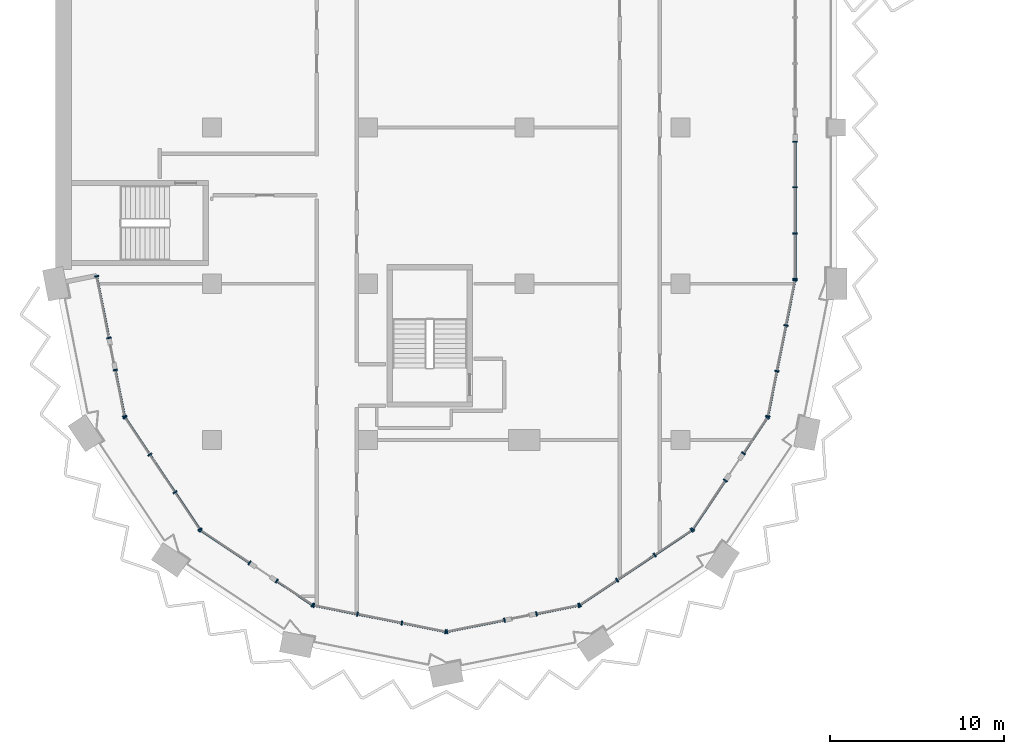
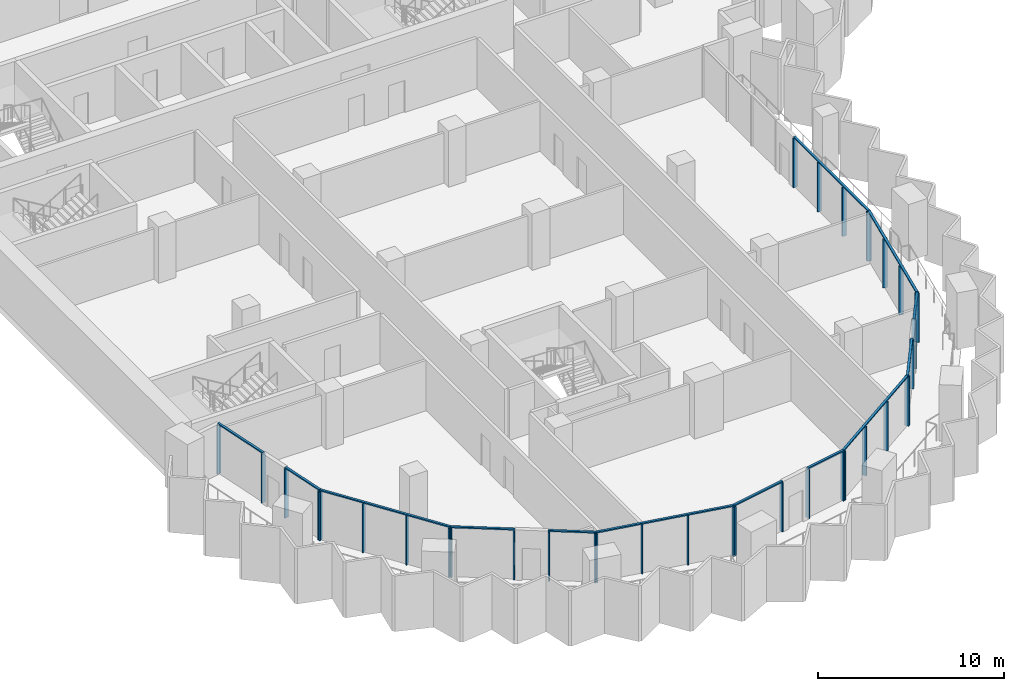
# One storey, part 2 of 18: 49 members, 13 elements without a shape of their own.
"""IFC4 building model written with IfcOpenShell, lengths in metres."""

from ifc_helpers import new_model, si_unit, direction, frame, origin, origin_2d, place, context, subcontext, project, spatial, rectangle, extrude, material, material_profile, profile_set, type_object, element, aggregate, save


model = new_model("IFC4")

# Units and contexts
model_context = context("Model", 3, precision=1e-05, world=origin(), true_north=direction((0.0, 1.0)))
body_context = subcontext(model_context, "Body", "Model", "MODEL_VIEW")
ifc_project = project(units=[si_unit("LENGTHUNIT", "METRE"), si_unit("AREAUNIT", "SQUARE_METRE"), si_unit("VOLUMEUNIT", "CUBIC_METRE"), si_unit("PLANEANGLEUNIT", "RADIAN"), si_unit("MASSUNIT", "GRAM", prefix="KILO")], contexts=[model_context])

# Site, building, storey
site_placement = place(None, origin())
site = spatial("IfcSite", under=ifc_project, at=site_placement, CompositionType="ELEMENT")
building_placement = place(site_placement, origin())
building = spatial("IfcBuilding", under=site, at=building_placement, Name="Hunhe Ridgeline Campus", CompositionType="ELEMENT")
storey_placement = place(building_placement, frame((0.0, 0.0, 182.800048828125)))
storey = spatial("IfcBuildingStorey", under=building, at=storey_placement, Name="L46", CompositionType="ELEMENT", Elevation=182.800048828125)

# Curtain wall, members
ifc_material = material(Name="Aluminium 6063", Category="aluminium")
curtain_wall_type = type_object("IfcCurtainWallType", Name="Curtain wall CW-4", PredefinedType="NOTDEFINED", material=ifc_material)
curtain_wall_1_placement = place(storey_placement, origin())
curtain_wall_1 = element("IfcCurtainWall", 1, at=curtain_wall_1_placement, inside=storey, type_object=curtain_wall_type, Name="Curtain wall 01", PredefinedType="NOTDEFINED")
ifc_material_profile_1 = material_profile(ifc_material, rectangle(XDim=0.25, YDim=0.080078125, at=origin_2d()))
ifc_profile_set_1 = profile_set([ifc_material_profile_1], Name="Aluminium 6063")
member_type_1 = type_object("IfcMemberType", Name="CW-4 aluminium mullion", PredefinedType="MULLION", material=ifc_profile_set_1)
member_1_placement = place(storey_placement, frame((2.362548828125, 36.429443359375, 0.0), z_axis=(0.0, 0.0, 1.0), x_axis=(0.980784284924, 0.195095326561, 0.0)))
member_1 = element("IfcMember", 2, at=member_1_placement, type_object=member_type_1, Name="CW-4 mullion 1", PredefinedType="MULLION", context=body_context, shape_type="SweptSolid", body=[
    extrude(rectangle(XDim=0.25, YDim=0.080078125, at=origin_2d()), origin(), (0.0, 0.0, 1.0), 3.219970703125),
])
member_2_placement = place(storey_placement, frame((3.069091796875, 32.878173828125, 0.0), z_axis=(0.0, 0.0, 1.0), x_axis=(0.980784284924, 0.195095326561, 0.0)))
member_2 = element("IfcMember", 3, at=member_2_placement, type_object=member_type_1, Name="CW-4 mullion 2", PredefinedType="MULLION", context=body_context, shape_type="SweptSolid", body=[
    extrude(rectangle(XDim=0.25, YDim=0.080078125, at=origin_2d()), origin(), (0.0, 0.0, 1.0), 3.219970703125),
])

curtain_wall_2_placement = place(storey_placement, origin())
curtain_wall_2 = element("IfcCurtainWall", 4, at=curtain_wall_2_placement, inside=storey, type_object=curtain_wall_type, Name="Curtain wall 02", PredefinedType="NOTDEFINED")
member_3_placement = place(storey_placement, frame((3.435791015625, 31.0341796875, 0.0), z_axis=(0.0, 0.0, 1.0), x_axis=(0.980784297053, 0.195095265587, 0.0)))
member_3 = element("IfcMember", 5, at=member_3_placement, type_object=member_type_1, Name="CW-4 mullion 1", PredefinedType="MULLION", context=body_context, shape_type="SweptSolid", body=[
    extrude(rectangle(XDim=0.25, YDim=0.080078125, at=origin_2d()), origin(), (0.0, 0.0, 1.0), 3.219970703125),
])
member_4_placement = place(storey_placement, frame((3.966552734375, 28.36572265625, 0.0), z_axis=(0.0, 0.0, 1.0), x_axis=(0.980784297053, 0.195095265587, 0.0)))
member_4 = element("IfcMember", 6, at=member_4_placement, type_object=member_type_1, Name="CW-4 mullion 2", PredefinedType="MULLION", context=body_context, shape_type="SweptSolid", body=[
    extrude(rectangle(XDim=0.25, YDim=0.080078125, at=origin_2d()), origin(), (0.0, 0.0, 1.0), 3.219970703125),
])

curtain_wall_3_placement = place(storey_placement, origin())
curtain_wall_3 = element("IfcCurtainWall", 7, at=curtain_wall_3_placement, inside=storey, type_object=curtain_wall_type, Name="Curtain wall 03", PredefinedType="NOTDEFINED")
member_5_placement = place(storey_placement, frame((3.99658203125, 28.293212890625, 0.0), z_axis=(0.0, 0.0, 1.0), x_axis=(0.831469584522, 0.555570274596, 0.0)))
member_5 = element("IfcMember", 8, at=member_5_placement, type_object=member_type_1, Name="CW-4 mullion 1", PredefinedType="MULLION", context=body_context, shape_type="SweptSolid", body=[
    extrude(rectangle(XDim=0.25, YDim=0.080078125, at=origin_2d()), origin(), (0.0, 0.0, 1.0), 3.219970703125),
])
member_6_placement = place(storey_placement, frame((5.42333984375, 26.157958984375, 0.0), z_axis=(0.0, 0.0, 1.0), x_axis=(0.831469584522, 0.555570274596, 0.0)))
member_6 = element("IfcMember", 9, at=member_6_placement, type_object=member_type_1, Name="CW-4 mullion 2", PredefinedType="MULLION", context=body_context, shape_type="SweptSolid", body=[
    extrude(rectangle(XDim=0.25, YDim=0.080078125, at=origin_2d()), origin(), (0.0, 0.0, 1.0), 3.219970703125),
])
member_7_placement = place(storey_placement, frame((6.872314453125, 23.989501953125, 0.0), z_axis=(0.0, 0.0, 1.0), x_axis=(0.831469584522, 0.555570274596, 0.0)))
member_7 = element("IfcMember", 10, at=member_7_placement, type_object=member_type_1, Name="CW-4 mullion 3", PredefinedType="MULLION", context=body_context, shape_type="SweptSolid", body=[
    extrude(rectangle(XDim=0.25, YDim=0.080078125, at=origin_2d()), origin(), (0.0, 0.0, 1.0), 3.219970703125),
])
member_8_placement = place(storey_placement, frame((8.298828125, 21.8544921875, 0.0), z_axis=(0.0, 0.0, 1.0), x_axis=(0.831469584522, 0.555570274596, 0.0)))
member_8 = element("IfcMember", 11, at=member_8_placement, type_object=member_type_1, Name="CW-4 mullion 4", PredefinedType="MULLION", context=body_context, shape_type="SweptSolid", body=[
    extrude(rectangle(XDim=0.25, YDim=0.080078125, at=origin_2d()), origin(), (0.0, 0.0, 1.0), 3.219970703125),
])

curtain_wall_4_placement = place(storey_placement, origin())
curtain_wall_4 = element("IfcCurtainWall", 12, at=curtain_wall_4_placement, inside=storey, type_object=curtain_wall_type, Name="Curtain wall 04", PredefinedType="NOTDEFINED")
member_9_placement = place(storey_placement, frame((8.3544921875, 21.798828125, 0.0), z_axis=(0.0, 0.0, 1.0), x_axis=(0.555570257501, 0.831469595944, 0.0)))
member_9 = element("IfcMember", 13, at=member_9_placement, type_object=member_type_1, Name="CW-4 mullion 1", PredefinedType="MULLION", context=body_context, shape_type="SweptSolid", body=[
    extrude(rectangle(XDim=0.25, YDim=0.080078125, at=origin_2d()), origin(), (0.0, 0.0, 1.0), 3.219970703125),
])
member_10_placement = place(storey_placement, frame((11.166259765625, 19.919921875, 0.0), z_axis=(0.0, 0.0, 1.0), x_axis=(0.555570257501, 0.831469595944, 0.0)))
member_10 = element("IfcMember", 14, at=member_10_placement, type_object=member_type_1, Name="CW-4 mullion 2", PredefinedType="MULLION", context=body_context, shape_type="SweptSolid", body=[
    extrude(rectangle(XDim=0.25, YDim=0.080078125, at=origin_2d()), origin(), (0.0, 0.0, 1.0), 3.219970703125),
])

curtain_wall_5_placement = place(storey_placement, origin())
curtain_wall_5 = element("IfcCurtainWall", 15, at=curtain_wall_5_placement, inside=storey, type_object=curtain_wall_type, Name="Curtain wall 05", PredefinedType="NOTDEFINED")
member_11_placement = place(storey_placement, frame((12.7294921875, 18.87548828125, 0.0), z_axis=(0.0, 0.0, 1.0), x_axis=(0.555570385598, 0.831469510353, 0.0)))
member_11 = element("IfcMember", 16, at=member_11_placement, type_object=member_type_1, Name="CW-4 mullion 1", PredefinedType="MULLION", context=body_context, shape_type="SweptSolid", body=[
    extrude(rectangle(XDim=0.25, YDim=0.080078125, at=origin_2d()), origin(), (0.0, 0.0, 1.0), 3.219970703125),
])
member_12_placement = place(storey_placement, frame((14.793212890625, 17.49658203125, 0.0), z_axis=(0.0, 0.0, 1.0), x_axis=(0.555570385598, 0.831469510353, 0.0)))
member_12 = element("IfcMember", 17, at=member_12_placement, type_object=member_type_1, Name="CW-4 mullion 2", PredefinedType="MULLION", context=body_context, shape_type="SweptSolid", body=[
    extrude(rectangle(XDim=0.25, YDim=0.080078125, at=origin_2d()), origin(), (0.0, 0.0, 1.0), 3.219970703125),
])

curtain_wall_6_placement = place(storey_placement, origin())
curtain_wall_6 = element("IfcCurtainWall", 18, at=curtain_wall_6_placement, inside=storey, type_object=curtain_wall_type, Name="Curtain wall 06", PredefinedType="NOTDEFINED")
member_13_placement = place(storey_placement, frame((14.86572265625, 17.466552734375, 0.0), z_axis=(0.0, 0.0, 1.0), x_axis=(0.195090347539, 0.980785275326, 0.0)))
member_13 = element("IfcMember", 19, at=member_13_placement, type_object=member_type_1, Name="CW-4 mullion 1", PredefinedType="MULLION", context=body_context, shape_type="SweptSolid", body=[
    extrude(rectangle(XDim=0.25, YDim=0.080078125, at=origin_2d()), origin(), (0.0, 0.0, 1.0), 3.219970703125),
])
member_14_placement = place(storey_placement, frame((17.38427734375, 16.965576171875, 0.0), z_axis=(0.0, 0.0, 1.0), x_axis=(0.195090347539, 0.980785275326, 0.0)))
member_14 = element("IfcMember", 20, at=member_14_placement, type_object=member_type_1, Name="CW-4 mullion 2", PredefinedType="MULLION", context=body_context, shape_type="SweptSolid", body=[
    extrude(rectangle(XDim=0.25, YDim=0.080078125, at=origin_2d()), origin(), (0.0, 0.0, 1.0), 3.219970703125),
])
member_15_placement = place(storey_placement, frame((19.942138671875, 16.456787109375, 0.0), z_axis=(0.0, 0.0, 1.0), x_axis=(0.195090347539, 0.980785275326, 0.0)))
member_15 = element("IfcMember", 21, at=member_15_placement, type_object=member_type_1, Name="CW-4 mullion 3", PredefinedType="MULLION", context=body_context, shape_type="SweptSolid", body=[
    extrude(rectangle(XDim=0.25, YDim=0.080078125, at=origin_2d()), origin(), (0.0, 0.0, 1.0), 3.219970703125),
])
member_16_placement = place(storey_placement, frame((22.460693359375, 15.955810546875, 0.0), z_axis=(0.0, 0.0, 1.0), x_axis=(0.195090347539, 0.980785275326, 0.0)))
member_16 = element("IfcMember", 22, at=member_16_placement, type_object=member_type_1, Name="CW-4 mullion 4", PredefinedType="MULLION", context=body_context, shape_type="SweptSolid", body=[
    extrude(rectangle(XDim=0.25, YDim=0.080078125, at=origin_2d()), origin(), (0.0, 0.0, 1.0), 3.219970703125),
])

curtain_wall_7_placement = place(storey_placement, origin())
curtain_wall_7 = element("IfcCurtainWall", 23, at=curtain_wall_7_placement, inside=storey, type_object=curtain_wall_type, Name="Curtain wall 07", PredefinedType="NOTDEFINED")
member_17_placement = place(storey_placement, frame((22.539306640625, 15.955810546875, 0.0), z_axis=(0.0, 0.0, 1.0), x_axis=(-0.19509037034, 0.980785270791, 0.0)))
member_17 = element("IfcMember", 24, at=member_17_placement, type_object=member_type_1, Name="CW-4 mullion 1", PredefinedType="MULLION", context=body_context, shape_type="SweptSolid", body=[
    extrude(rectangle(XDim=0.25, YDim=0.080078125, at=origin_2d()), origin(), (0.0, 0.0, 1.0), 3.219970703125),
])
member_18_placement = place(storey_placement, frame((25.856201171875, 16.61572265625, 0.0), z_axis=(0.0, 0.0, 1.0), x_axis=(-0.19509037034, 0.980785270791, 0.0)))
member_18 = element("IfcMember", 25, at=member_18_placement, type_object=member_type_1, Name="CW-4 mullion 2", PredefinedType="MULLION", context=body_context, shape_type="SweptSolid", body=[
    extrude(rectangle(XDim=0.25, YDim=0.080078125, at=origin_2d()), origin(), (0.0, 0.0, 1.0), 3.219970703125),
])

curtain_wall_8_placement = place(storey_placement, origin())
curtain_wall_8 = element("IfcCurtainWall", 26, at=curtain_wall_8_placement, inside=storey, type_object=curtain_wall_type, Name="Curtain wall 08", PredefinedType="NOTDEFINED")
member_19_placement = place(storey_placement, frame((27.699951171875, 16.982421875, 0.0), z_axis=(0.0, 0.0, 1.0), x_axis=(-0.195090514627, 0.980785242091, 0.0)))
member_19 = element("IfcMember", 27, at=member_19_placement, type_object=member_type_1, Name="CW-4 mullion 1", PredefinedType="MULLION", context=body_context, shape_type="SweptSolid", body=[
    extrude(rectangle(XDim=0.25, YDim=0.080078125, at=origin_2d()), origin(), (0.0, 0.0, 1.0), 3.219970703125),
])
member_20_placement = place(storey_placement, frame((30.13427734375, 17.466552734375, 0.0), z_axis=(0.0, 0.0, 1.0), x_axis=(-0.195090514627, 0.980785242091, 0.0)))
member_20 = element("IfcMember", 28, at=member_20_placement, type_object=member_type_1, Name="CW-4 mullion 2", PredefinedType="MULLION", context=body_context, shape_type="SweptSolid", body=[
    extrude(rectangle(XDim=0.25, YDim=0.080078125, at=origin_2d()), origin(), (0.0, 0.0, 1.0), 3.219970703125),
])

curtain_wall_9_placement = place(storey_placement, origin())
curtain_wall_9 = element("IfcCurtainWall", 29, at=curtain_wall_9_placement, inside=storey, type_object=curtain_wall_type, Name="Curtain wall 09", PredefinedType="NOTDEFINED")
member_21_placement = place(storey_placement, frame((30.206787109375, 17.49658203125, 0.0), z_axis=(0.0, 0.0, 1.0), x_axis=(-0.555570274596, 0.831469584522, 0.0)))
member_21 = element("IfcMember", 30, at=member_21_placement, type_object=member_type_1, Name="CW-4 mullion 1", PredefinedType="MULLION", context=body_context, shape_type="SweptSolid", body=[
    extrude(rectangle(XDim=0.25, YDim=0.080078125, at=origin_2d()), origin(), (0.0, 0.0, 1.0), 3.219970703125),
])
member_22_placement = place(storey_placement, frame((32.342041015625, 18.92333984375, 0.0), z_axis=(0.0, 0.0, 1.0), x_axis=(-0.555570274596, 0.831469584522, 0.0)))
member_22 = element("IfcMember", 31, at=member_22_placement, type_object=member_type_1, Name="CW-4 mullion 2", PredefinedType="MULLION", context=body_context, shape_type="SweptSolid", body=[
    extrude(rectangle(XDim=0.25, YDim=0.080078125, at=origin_2d()), origin(), (0.0, 0.0, 1.0), 3.219970703125),
])
member_23_placement = place(storey_placement, frame((34.510498046875, 20.372314453125, 0.0), z_axis=(0.0, 0.0, 1.0), x_axis=(-0.555570274596, 0.831469584522, 0.0)))
member_23 = element("IfcMember", 32, at=member_23_placement, type_object=member_type_1, Name="CW-4 mullion 3", PredefinedType="MULLION", context=body_context, shape_type="SweptSolid", body=[
    extrude(rectangle(XDim=0.25, YDim=0.080078125, at=origin_2d()), origin(), (0.0, 0.0, 1.0), 3.219970703125),
])
member_24_placement = place(storey_placement, frame((36.6455078125, 21.798828125, 0.0), z_axis=(0.0, 0.0, 1.0), x_axis=(-0.555570274596, 0.831469584522, 0.0)))
member_24 = element("IfcMember", 33, at=member_24_placement, type_object=member_type_1, Name="CW-4 mullion 4", PredefinedType="MULLION", context=body_context, shape_type="SweptSolid", body=[
    extrude(rectangle(XDim=0.25, YDim=0.080078125, at=origin_2d()), origin(), (0.0, 0.0, 1.0), 3.219970703125),
])

curtain_wall_10_placement = place(storey_placement, origin())
curtain_wall_10 = element("IfcCurtainWall", 34, at=curtain_wall_10_placement, inside=storey, type_object=curtain_wall_type, Name="Curtain wall 10", PredefinedType="NOTDEFINED")
member_25_placement = place(storey_placement, frame((36.701171875, 21.8544921875, 0.0), z_axis=(0.0, 0.0, 1.0), x_axis=(-0.831469595944, 0.555570257501, 0.0)))
member_25 = element("IfcMember", 35, at=member_25_placement, type_object=member_type_1, Name="CW-4 mullion 1", PredefinedType="MULLION", context=body_context, shape_type="SweptSolid", body=[
    extrude(rectangle(XDim=0.25, YDim=0.080078125, at=origin_2d()), origin(), (0.0, 0.0, 1.0), 3.219970703125),
])
member_26_placement = place(storey_placement, frame((38.580078125, 24.666259765625, 0.0), z_axis=(0.0, 0.0, 1.0), x_axis=(-0.831469595944, 0.555570257501, 0.0)))
member_26 = element("IfcMember", 36, at=member_26_placement, type_object=member_type_1, Name="CW-4 mullion 2", PredefinedType="MULLION", context=body_context, shape_type="SweptSolid", body=[
    extrude(rectangle(XDim=0.25, YDim=0.080078125, at=origin_2d()), origin(), (0.0, 0.0, 1.0), 3.219970703125),
])

curtain_wall_11_placement = place(storey_placement, origin())
curtain_wall_11 = element("IfcCurtainWall", 37, at=curtain_wall_11_placement, inside=storey, type_object=curtain_wall_type, Name="Curtain wall 11", PredefinedType="NOTDEFINED")
member_27_placement = place(storey_placement, frame((39.62451171875, 26.2294921875, 0.0), z_axis=(0.0, 0.0, 1.0), x_axis=(-0.831469510353, 0.555570385598, 0.0)))
member_27 = element("IfcMember", 38, at=member_27_placement, type_object=member_type_1, Name="CW-4 mullion 1", PredefinedType="MULLION", context=body_context, shape_type="SweptSolid", body=[
    extrude(rectangle(XDim=0.25, YDim=0.080078125, at=origin_2d()), origin(), (0.0, 0.0, 1.0), 3.219970703125),
])
member_28_placement = place(storey_placement, frame((41.00341796875, 28.293212890625, 0.0), z_axis=(0.0, 0.0, 1.0), x_axis=(-0.831469510353, 0.555570385598, 0.0)))
member_28 = element("IfcMember", 39, at=member_28_placement, type_object=member_type_1, Name="CW-4 mullion 2", PredefinedType="MULLION", context=body_context, shape_type="SweptSolid", body=[
    extrude(rectangle(XDim=0.25, YDim=0.080078125, at=origin_2d()), origin(), (0.0, 0.0, 1.0), 3.219970703125),
])

curtain_wall_12_placement = place(storey_placement, origin())
curtain_wall_12 = element("IfcCurtainWall", 40, at=curtain_wall_12_placement, inside=storey, type_object=curtain_wall_type, Name="Curtain wall 12", PredefinedType="NOTDEFINED")
member_29_placement = place(storey_placement, frame((41.033447265625, 28.36572265625, 0.0), z_axis=(0.0, 0.0, 1.0), x_axis=(-0.980785284939, 0.195090299215, 0.0)))
member_29 = element("IfcMember", 41, at=member_29_placement, type_object=member_type_1, Name="CW-4 mullion 1", PredefinedType="MULLION", context=body_context, shape_type="SweptSolid", body=[
    extrude(rectangle(XDim=0.25, YDim=0.080078125, at=origin_2d()), origin(), (0.0, 0.0, 1.0), 3.219970703125),
])
member_30_placement = place(storey_placement, frame((41.550048828125, 30.963134765625, 0.0), z_axis=(0.0, 0.0, 1.0), x_axis=(-0.980785284939, 0.195090299215, 0.0)))
member_30 = element("IfcMember", 42, at=member_30_placement, type_object=member_type_1, Name="CW-4 mullion 2", PredefinedType="MULLION", context=body_context, shape_type="SweptSolid", body=[
    extrude(rectangle(XDim=0.25, YDim=0.080078125, at=origin_2d()), origin(), (0.0, 0.0, 1.0), 3.219970703125),
])
member_31_placement = place(storey_placement, frame((42.074462890625, 33.599853515625, 0.0), z_axis=(0.0, 0.0, 1.0), x_axis=(-0.980785284939, 0.195090299215, 0.0)))
member_31 = element("IfcMember", 43, at=member_31_placement, type_object=member_type_1, Name="CW-4 mullion 3", PredefinedType="MULLION", context=body_context, shape_type="SweptSolid", body=[
    extrude(rectangle(XDim=0.25, YDim=0.080078125, at=origin_2d()), origin(), (0.0, 0.0, 1.0), 3.219970703125),
])
member_32_placement = place(storey_placement, frame((42.59130859375, 36.197265625, 0.0), z_axis=(0.0, 0.0, 1.0), x_axis=(-0.980785284939, 0.195090299215, 0.0)))
member_32 = element("IfcMember", 44, at=member_32_placement, type_object=member_type_1, Name="CW-4 mullion 4", PredefinedType="MULLION", context=body_context, shape_type="SweptSolid", body=[
    extrude(rectangle(XDim=0.25, YDim=0.080078125, at=origin_2d()), origin(), (0.0, 0.0, 1.0), 3.219970703125),
])

curtain_wall_13_placement = place(storey_placement, origin())
curtain_wall_13 = element("IfcCurtainWall", 45, at=curtain_wall_13_placement, inside=storey, type_object=curtain_wall_type, Name="Curtain wall 13", PredefinedType="NOTDEFINED")
member_33_placement = place(storey_placement, frame((42.59912109375, 36.2763671875, 0.0), z_axis=(0.0, 0.0, 1.0), x_axis=(-0.999999999978, 6.639948e-06, 0.0)))
member_33 = element("IfcMember", 46, at=member_33_placement, type_object=member_type_1, Name="CW-4 mullion 1", PredefinedType="MULLION", context=body_context, shape_type="SweptSolid", body=[
    extrude(rectangle(XDim=0.25, YDim=0.080078125, at=origin_2d()), origin(), (0.0, 0.0, 1.0), 3.219970703125),
])
member_34_placement = place(storey_placement, frame((42.59912109375, 38.897216796875, 0.0), z_axis=(0.0, 0.0, 1.0), x_axis=(-0.999999999978, 6.639948e-06, 0.0)))
member_34 = element("IfcMember", 47, at=member_34_placement, type_object=member_type_1, Name="CW-4 mullion 2", PredefinedType="MULLION", context=body_context, shape_type="SweptSolid", body=[
    extrude(rectangle(XDim=0.25, YDim=0.080078125, at=origin_2d()), origin(), (0.0, 0.0, 1.0), 3.219970703125),
])
member_35_placement = place(storey_placement, frame((42.59912109375, 41.557861328125, 0.0), z_axis=(0.0, 0.0, 1.0), x_axis=(-0.999999999978, 6.639948e-06, 0.0)))
member_35 = element("IfcMember", 48, at=member_35_placement, type_object=member_type_1, Name="CW-4 mullion 3", PredefinedType="MULLION", context=body_context, shape_type="SweptSolid", body=[
    extrude(rectangle(XDim=0.25, YDim=0.080078125, at=origin_2d()), origin(), (0.0, 0.0, 1.0), 3.219970703125),
])
member_36_placement = place(storey_placement, frame((42.59912109375, 44.178466796875, 0.0), z_axis=(0.0, 0.0, 1.0), x_axis=(-0.999999999978, 6.639948e-06, 0.0)))
member_36 = element("IfcMember", 49, at=member_36_placement, type_object=member_type_1, Name="CW-4 mullion 4", PredefinedType="MULLION", context=body_context, shape_type="SweptSolid", body=[
    extrude(rectangle(XDim=0.25, YDim=0.080078125, at=origin_2d()), origin(), (0.0, 0.0, 1.0), 3.219970703125),
])

# Member
ifc_material_profile_2 = material_profile(ifc_material, rectangle(XDim=0.139892578125, YDim=0.080078125, at=origin_2d()))
ifc_profile_set_2 = profile_set([ifc_material_profile_2], Name="Aluminium 6063")
member_type_2 = type_object("IfcMemberType", Name="CW-4 aluminium transom", PredefinedType="USERDEFINED", material=ifc_profile_set_2)
member_37_placement = place(storey_placement, frame((2.354736328125, 36.46875, 3.260009765625), z_axis=(0.195126549745, -0.980778073564, 0.0), x_axis=(0.980778073564, 0.195126549745, 0.0)))
member_37 = element("IfcMember", 50, at=member_37_placement, type_object=member_type_2, Name="CW-4 transom 1", ObjectType="TRANSOM", PredefinedType="USERDEFINED", context=body_context, shape_type="SweptSolid", body=[
    extrude(rectangle(XDim=0.139892578125, YDim=0.080078125, at=origin_2d()), origin(), (0.0, 0.0, 1.0), 3.700927734375),
])

aggregate(curtain_wall_1, [member_37, member_1, member_2])

member_38_placement = place(storey_placement, frame((3.427978515625, 31.073486328125, 3.260009765625), z_axis=(0.195076742145, -0.98078798151, 0.0), x_axis=(0.98078798151, 0.195076742145, 0.0)))
member_38 = element("IfcMember", 51, at=member_38_placement, type_object=member_type_2, Name="CW-4 transom 1", ObjectType="TRANSOM", PredefinedType="USERDEFINED", context=body_context, shape_type="SweptSolid", body=[
    extrude(rectangle(XDim=0.139892578125, YDim=0.080078125, at=origin_2d()), origin(), (0.0, 0.0, 1.0), 2.80078125),
])

aggregate(curtain_wall_2, [member_38, member_3, member_4])

member_39_placement = place(storey_placement, frame((3.974365234375, 28.326416015625, 3.260009765625), z_axis=(0.5555640203, -0.831473763475, 0.0), x_axis=(0.831473763475, 0.5555640203, 0.0)))
member_39 = element("IfcMember", 52, at=member_39_placement, type_object=member_type_2, Name="CW-4 transom 1", ObjectType="TRANSOM", PredefinedType="USERDEFINED", context=body_context, shape_type="SweptSolid", body=[
    extrude(rectangle(XDim=0.139892578125, YDim=0.080078125, at=origin_2d()), origin(), (0.0, 0.0, 1.0), 7.823974609375),
])

aggregate(curtain_wall_3, [member_39, member_5, member_6, member_7, member_8])

member_40_placement = place(storey_placement, frame((8.321044921875, 21.821044921875, 3.260009765625), z_axis=(0.831485714606, -0.555546133463, 0.0), x_axis=(0.555546133463, 0.831485714606, 0.0)))
member_40 = element("IfcMember", 53, at=member_40_placement, type_object=member_type_2, Name="CW-4 transom 1", ObjectType="TRANSOM", PredefinedType="USERDEFINED", context=body_context, shape_type="SweptSolid", body=[
    extrude(rectangle(XDim=0.139892578125, YDim=0.080078125, at=origin_2d()), origin(), (0.0, 0.0, 1.0), 3.462158203125),
])

aggregate(curtain_wall_4, [member_40, member_9, member_10])

member_41_placement = place(storey_placement, frame((12.6962890625, 18.897705078125, 3.260009765625), z_axis=(0.831463388334, -0.555579547735, 0.0), x_axis=(0.555579547735, 0.831463388334, 0.0)))
member_41 = element("IfcMember", 54, at=member_41_placement, type_object=member_type_2, Name="CW-4 transom 1", ObjectType="TRANSOM", PredefinedType="USERDEFINED", context=body_context, shape_type="SweptSolid", body=[
    extrude(rectangle(XDim=0.139892578125, YDim=0.080078125, at=origin_2d()), origin(), (0.0, 0.0, 1.0), 2.56201171875),
])

aggregate(curtain_wall_5, [member_41, member_11, member_12])

member_42_placement = place(storey_placement, frame((14.826416015625, 17.474365234375, 3.260009765625), z_axis=(0.980785367689, -0.195089883198, 0.0), x_axis=(0.195089883198, 0.980785367689, 0.0)))
member_42 = element("IfcMember", 55, at=member_42_placement, type_object=member_type_2, Name="CW-4 transom 1", ObjectType="TRANSOM", PredefinedType="USERDEFINED", context=body_context, shape_type="SweptSolid", body=[
    extrude(rectangle(XDim=0.139892578125, YDim=0.080078125, at=origin_2d()), origin(), (0.0, 0.0, 1.0), 7.823974609375),
])

aggregate(curtain_wall_6, [member_42, member_13, member_14, member_15, member_16])

member_43_placement = place(storey_placement, frame((22.5, 15.947998046875, 3.260009765625), z_axis=(0.980778171596, 0.195126057004, 0.0), x_axis=(-0.195126057004, 0.980778171596, 0.0)))
member_43 = element("IfcMember", 56, at=member_43_placement, type_object=member_type_2, Name="CW-4 transom 1", ObjectType="TRANSOM", PredefinedType="USERDEFINED", context=body_context, shape_type="SweptSolid", body=[
    extrude(rectangle(XDim=0.139892578125, YDim=0.080078125, at=origin_2d()), origin(), (0.0, 0.0, 1.0), 3.462158203125),
])

aggregate(curtain_wall_7, [member_43, member_17, member_18])

member_44_placement = place(storey_placement, frame((27.660888671875, 16.974609375, 3.260009765625), z_axis=(0.980789038007, 0.195071430315, 0.0), x_axis=(-0.195071430315, 0.980789038007, 0.0)))
member_44 = element("IfcMember", 57, at=member_44_placement, type_object=member_type_2, Name="CW-4 transom 1", ObjectType="TRANSOM", PredefinedType="USERDEFINED", context=body_context, shape_type="SweptSolid", body=[
    extrude(rectangle(XDim=0.139892578125, YDim=0.080078125, at=origin_2d()), origin(), (0.0, 0.0, 1.0), 2.56201171875),
])

aggregate(curtain_wall_8, [member_44, member_19, member_20])

member_45_placement = place(storey_placement, frame((30.173583984375, 17.474365234375, 3.260009765625), z_axis=(0.831473763475, 0.5555640203, 0.0), x_axis=(-0.5555640203, 0.831473763475, 0.0)))
member_45 = element("IfcMember", 58, at=member_45_placement, type_object=member_type_2, Name="CW-4 transom 1", ObjectType="TRANSOM", PredefinedType="USERDEFINED", context=body_context, shape_type="SweptSolid", body=[
    extrude(rectangle(XDim=0.139892578125, YDim=0.080078125, at=origin_2d()), origin(), (0.0, 0.0, 1.0), 7.823974609375),
])

aggregate(curtain_wall_9, [member_45, member_21, member_22, member_23, member_24])

member_46_placement = place(storey_placement, frame((36.678955078125, 21.821044921875, 3.260009765625), z_axis=(0.555546133463, 0.831485714606, 0.0), x_axis=(-0.831485714606, 0.555546133463, 0.0)))
member_46 = element("IfcMember", 59, at=member_46_placement, type_object=member_type_2, Name="CW-4 transom 1", ObjectType="TRANSOM", PredefinedType="USERDEFINED", context=body_context, shape_type="SweptSolid", body=[
    extrude(rectangle(XDim=0.139892578125, YDim=0.080078125, at=origin_2d()), origin(), (0.0, 0.0, 1.0), 3.462158203125),
])

aggregate(curtain_wall_10, [member_46, member_25, member_26])

member_47_placement = place(storey_placement, frame((39.602294921875, 26.1962890625, 3.260009765625), z_axis=(0.555579547735, 0.831463388334, 0.0), x_axis=(-0.831463388334, 0.555579547735, 0.0)))
member_47 = element("IfcMember", 60, at=member_47_placement, type_object=member_type_2, Name="CW-4 transom 1", ObjectType="TRANSOM", PredefinedType="USERDEFINED", context=body_context, shape_type="SweptSolid", body=[
    extrude(rectangle(XDim=0.139892578125, YDim=0.080078125, at=origin_2d()), origin(), (0.0, 0.0, 1.0), 2.56201171875),
])

aggregate(curtain_wall_11, [member_47, member_27, member_28])

member_48_placement = place(storey_placement, frame((41.025634765625, 28.326416015625, 3.260009765625), z_axis=(0.195097290093, 0.980783894341, 0.0), x_axis=(-0.980783894341, 0.195097290093, 0.0)))
member_48 = element("IfcMember", 61, at=member_48_placement, type_object=member_type_2, Name="CW-4 transom 1", ObjectType="TRANSOM", PredefinedType="USERDEFINED", context=body_context, shape_type="SweptSolid", body=[
    extrude(rectangle(XDim=0.139892578125, YDim=0.080078125, at=origin_2d()), origin(), (0.0, 0.0, 1.0), 8.065185546875),
])

aggregate(curtain_wall_12, [member_48, member_29, member_30, member_31, member_32])

member_49_placement = place(storey_placement, frame((42.59912109375, 36.236572265625, 3.260009765625), z_axis=(0.0, 1.0, 0.0), x_axis=(-1.0, 0.0, 0.0)))
member_49 = element("IfcMember", 62, at=member_49_placement, type_object=member_type_2, Name="CW-4 transom 1", ObjectType="TRANSOM", PredefinedType="USERDEFINED", context=body_context, shape_type="SweptSolid", body=[
    extrude(rectangle(XDim=0.139892578125, YDim=0.080078125, at=origin_2d()), origin(), (0.0, 0.0, 1.0), 7.98193359375),
])

aggregate(curtain_wall_13, [member_49, member_33, member_34, member_35, member_36])

save(model, "model.ifc")
